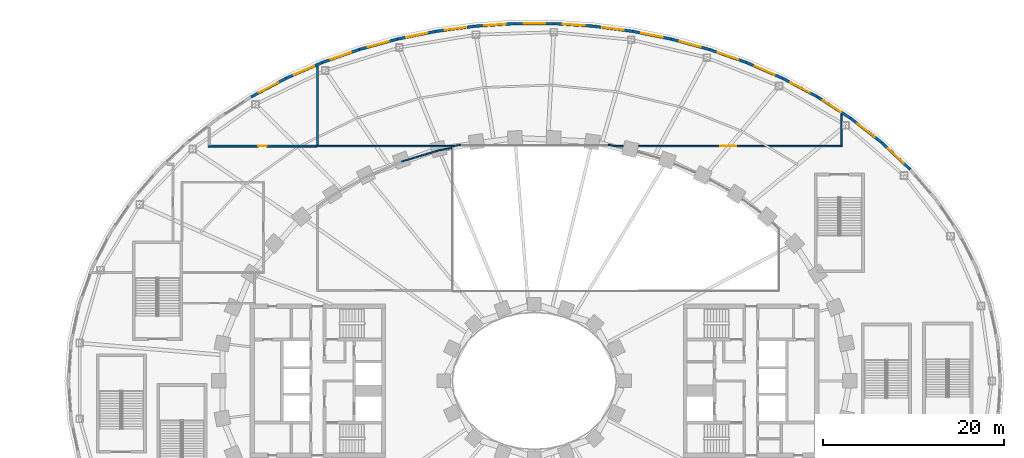
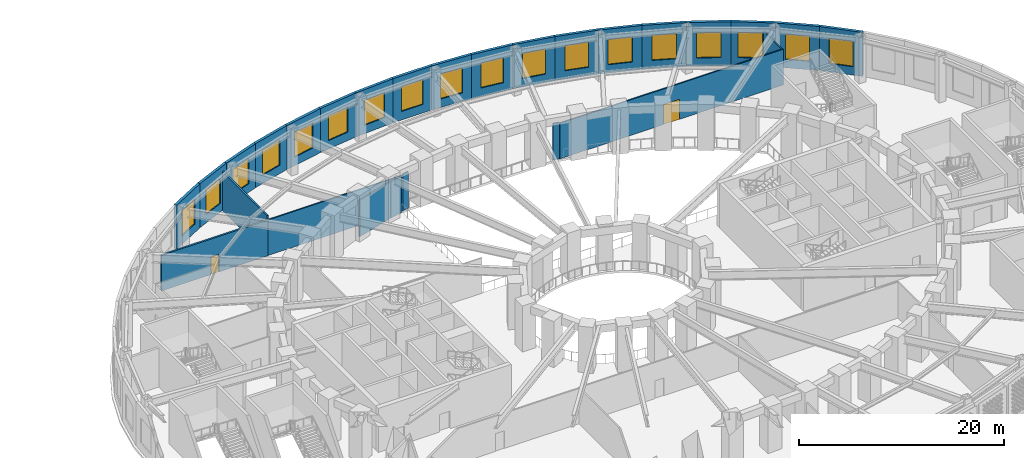
# One storey, part 21 of 69: 27 walls, 18 windows, 2 doors, 20 openings.
"""IFC4 building model written with IfcOpenShell, lengths in metres."""

import ifcopenshell
import ifcopenshell.guid

model = None  # the IFC model being written
_history = None  # IfcOwnerHistory: only IFC2X3 demands one
_inside = {}  # id of a spatial element -> (the spatial element, [elements in it])
_under = {}  # id of a project, library or spatial element -> (it, [spatial elements below it])
_declared = {}  # id of a project -> (the project, [libraries it declares])
_typed = {}  # id of a type object -> (the type object, [elements of that type])
_made_of = {}  # id of a material, layer set ... -> (it, [elements and type objects made of it])


def new_model(schema):
    """Start an empty IFC model of exactly this schema.

    Asked for "IFC4X3", IfcOpenShell would pick the latest addendum, in which some entities
    have other attributes; the version numbers below select the first issue.
    IFC2X3 requires an IfcOwnerHistory on every rooted entity: one is made here for all.
    """
    global model, _history
    if schema == "IFC4X3":
        model = ifcopenshell.file(schema_version=(4, 3, 0, 0))
    else:
        model = ifcopenshell.file(schema=schema)
    _inside.clear()
    _under.clear()
    _declared.clear()
    _typed.clear()
    _made_of.clear()
    _history = None
    if model.schema == "IFC2X3":
        org = make("IfcOrganization", Name="unknown")
        user = make(
            "IfcPersonAndOrganization",
            ThePerson=make("IfcPerson", FamilyName="unknown"),
            TheOrganization=org,
        )
        app = make(
            "IfcApplication",
            ApplicationDeveloper=org,
            Version="unknown",
            ApplicationFullName="unknown",
            ApplicationIdentifier="unknown",
        )
        _history = make(
            "IfcOwnerHistory",
            OwningUser=user,
            OwningApplication=app,
            ChangeAction="ADDED",
            CreationDate=0,
        )
    return model


def make(cls, **values):
    """One entity of the class cls with the attributes given. An attribute that is None is left unset."""
    return model.create_entity(
        cls, **{name: value for name, value in values.items() if value is not None}
    )


def rooted(cls, **values):
    """An entity with a GlobalId (a new one), such as an element, a storey or a relation."""
    return make(cls, GlobalId=ifcopenshell.guid.new(), OwnerHistory=_history, **values)


def si_unit(unit_type, name, prefix=None):
    """IfcSIUnit, for example si_unit("LENGTHUNIT", "METRE", prefix="MILLI")."""
    return make("IfcSIUnit", UnitType=unit_type, Prefix=prefix, Name=name)


def assignment(units):
    """IfcUnitAssignment: the units of a project."""
    return None if units is None else make("IfcUnitAssignment", Units=units)


def point(xyz):
    """IfcCartesianPoint."""
    return None if xyz is None else make("IfcCartesianPoint", Coordinates=xyz)


def direction(xyz):
    """IfcDirection."""
    return None if xyz is None else make("IfcDirection", DirectionRatios=xyz)


def frame(location, z_axis=None, x_axis=None):
    """IfcAxis2Placement3D, a coordinate frame: its origin and axes. An axis left out is left unset."""
    return make(
        "IfcAxis2Placement3D",
        Location=point(location),
        Axis=direction(z_axis),
        RefDirection=direction(x_axis),
    )


def frame_2d(location, x_axis=None):
    """IfcAxis2Placement2D, a coordinate frame in the plane: its origin and x axis."""
    return make(
        "IfcAxis2Placement2D", Location=point(location), RefDirection=direction(x_axis)
    )


def origin():
    """The frame at (0, 0, 0) with its axes left unset."""
    return frame((0.0, 0.0, 0.0))


def place(relative_to, where):
    """IfcLocalPlacement: puts the frame where relative to a parent placement (None: the world)."""
    return make(
        "IfcLocalPlacement", PlacementRelTo=relative_to, RelativePlacement=where
    )


def context(
    kind, dimensions, precision=None, world=None, true_north=None, identifier=None
):
    """IfcGeometricRepresentationContext, for example the 3D "Model" context."""
    return make(
        "IfcGeometricRepresentationContext",
        ContextIdentifier=identifier,
        ContextType=kind,
        CoordinateSpaceDimension=dimensions,
        Precision=precision,
        WorldCoordinateSystem=world,
        TrueNorth=true_north,
    )


def subcontext(parent, identifier, kind, view, scale=None):
    """IfcGeometricRepresentationSubContext, for example "Body" below "Model"."""
    return make(
        "IfcGeometricRepresentationSubContext",
        ContextIdentifier=identifier,
        ContextType=kind,
        ParentContext=parent,
        TargetScale=scale,
        TargetView=view,
    )


def project(units=None, contexts=None):
    """IfcProject with its units and contexts."""
    return rooted(
        "IfcProject",
        Name="project",
        RepresentationContexts=contexts,
        UnitsInContext=assignment(units),
    )


def spatial(cls, under=None, at=None, **own):
    """A site, building, storey or space (cls), placed at a placement, below another one or the project."""
    s = rooted(cls, ObjectPlacement=at, **own)
    if under is not None:
        _under.setdefault(under.id(), (under, []))[1].append(s)
    return s


def profile(cls, at=None, kind="AREA", **sizes):
    """A parametric profile (cls). Its sizes go by their IFC names, for example OverallWidth=200.0."""
    return make(cls, ProfileType=kind, Position=at, **sizes)


def rectangle(**sizes):
    """IfcRectangleProfileDef."""
    return profile("IfcRectangleProfileDef", **sizes)


def extrude(swept, where, along, depth):
    """IfcExtrudedAreaSolid: the profile swept, set in the frame where, extruded along a direction by depth."""
    return make(
        "IfcExtrudedAreaSolid",
        SweptArea=swept,
        Position=where,
        ExtrudedDirection=direction(along),
        Depth=depth,
    )


def shape(context_of_items, identifier, shape_type, items):
    """IfcShapeRepresentation: the items that make up one representation, for example the "Body"."""
    return make(
        "IfcShapeRepresentation",
        ContextOfItems=context_of_items,
        RepresentationIdentifier=identifier,
        RepresentationType=shape_type,
        Items=items,
    )


def material(Name=None, Category=None):
    """IfcMaterial."""
    return make("IfcMaterial", Name=Name, Category=Category)


def layer(
    of_material, thickness, ventilated=None, Name=None, Category=None, Priority=None
):
    """IfcMaterialLayer: one layer of a wall or slab, of a material (None: an air gap)."""
    return make(
        "IfcMaterialLayer",
        Material=of_material,
        LayerThickness=thickness,
        IsVentilated=ventilated,
        Name=Name,
        Category=Category,
        Priority=Priority,
    )


def layer_set(layers, Name=None):
    """IfcMaterialLayerSet."""
    return make("IfcMaterialLayerSet", MaterialLayers=layers, LayerSetName=Name)


def made_of(thing, what):
    """Note that an element or type object is made of a material, layer set ...; save() writes the relation."""
    if what is not None:
        _made_of.setdefault(what.id(), (what, []))[1].append(thing)
    return thing


def type_object(cls, material=None, **own):
    """A type object (cls), such as IfcWallType, which elements share."""
    return made_of(rooted(cls, **own), material)


def element(
    cls,
    number,
    at=None,
    inside=None,
    cuts=None,
    type_object=None,
    material=None,
    context=None,
    identifier="Body",
    shape_type=None,
    held_by="IfcProductDefinitionShape",
    body=None,
    shapes=None,
    **own,
):
    """One element of the class cls, such as IfcWall. Its Tag is "e" and its number.

    at: its placement. inside: the storey or other place that contains it. cuts: it is an
    opening in that element (IfcRelVoidsElement). A single representation is given by context,
    identifier, shape_type and body (its items); several are given by shapes. held_by: the class
    of the entity that holds the representations. save() writes the other relations.
    """
    e = rooted(cls, Tag="e%d" % number, ObjectPlacement=at, **own)
    if body is not None:
        shapes = [shape(context, identifier, shape_type, body)]
    if shapes is not None:
        e.Representation = make(held_by, Representations=shapes)
    if inside is not None:
        _inside.setdefault(inside.id(), (inside, []))[1].append(e)
    if cuts is not None:
        rooted(
            "IfcRelVoidsElement", RelatingBuildingElement=cuts, RelatedOpeningElement=e
        )
    if type_object is not None:
        _typed.setdefault(type_object.id(), (type_object, []))[1].append(e)
    return made_of(e, material)


def fill(opening, filler):
    """IfcRelFillsElement: the door or window that sits in an opening."""
    return rooted(
        "IfcRelFillsElement",
        RelatingOpeningElement=opening,
        RelatedBuildingElement=filler,
    )


def aggregate(whole, parts):
    """IfcRelAggregates: a whole, such as a stair, and the parts it consists of."""
    return rooted("IfcRelAggregates", RelatingObject=whole, RelatedObjects=parts)


def save(model, path):
    """Write the relations noted so far, then the file.

    IfcRelAggregates (storeys below a building ...), IfcRelContainedInSpatialStructure (elements
    in a storey), IfcRelDefinesByType, IfcRelAssociatesMaterial and IfcRelDeclares: one each for
    every whole, place, type object, material and project.
    """
    for whole, parts in _under.values():
        aggregate(whole, parts)
    for where, things in _inside.values():
        rooted(
            "IfcRelContainedInSpatialStructure",
            RelatedElements=things,
            RelatingStructure=where,
        )
    for kind, things in _typed.values():
        rooted("IfcRelDefinesByType", RelatedObjects=things, RelatingType=kind)
    for what, things in _made_of.values():
        rooted("IfcRelAssociatesMaterial", RelatedObjects=things, RelatingMaterial=what)
    for by, libraries in _declared.values():
        rooted("IfcRelDeclares", RelatingContext=by, RelatedDefinitions=libraries)
    model.write(path)


model = new_model("IFC4")

# Units and contexts
model_context = context("Model", 3, precision=1e-05, world=origin(), true_north=direction((0.0, 1.0)))
body_context = subcontext(model_context, "Body", "Model", "MODEL_VIEW")
ifc_project = project(units=[si_unit("LENGTHUNIT", "METRE"), si_unit("AREAUNIT", "SQUARE_METRE"), si_unit("VOLUMEUNIT", "CUBIC_METRE"), si_unit("PLANEANGLEUNIT", "RADIAN"), si_unit("MASSUNIT", "GRAM", prefix="KILO")], contexts=[model_context])

# Site, building, storey
site_placement = place(None, origin())
site = spatial("IfcSite", under=ifc_project, at=site_placement, CompositionType="ELEMENT")
building_placement = place(site_placement, origin())
building = spatial("IfcBuilding", under=site, at=building_placement, Name="Noorbagh Ring Tower", CompositionType="ELEMENT")
storey_placement = place(building_placement, frame((0.0, 0.0, 19.5)))
storey = spatial("IfcBuildingStorey", under=building, at=storey_placement, Name="L03", CompositionType="ELEMENT", Elevation=19.5)

# Wall, opening, window
ifc_material_1 = material(Name="Blockwork faced with red sandstone", Category="masonry")
ifc_layer_1 = layer(ifc_material_1, 0.300048828125)
ifc_layer_set_1 = layer_set([ifc_layer_1], Name="Blockwork faced with red sandstone")
wall_type_1 = type_object("IfcWallType", Name="GND-ENV-WALL", PredefinedType="SOLIDWALL", material=ifc_layer_set_1)
wall_1_placement = place(storey_placement, frame((41.61669921875, 23.406005859375, 0.0), z_axis=(0.0, 0.0, 1.0), x_axis=(-0.72620446032, 0.687478786444, 0.0)))
wall_1 = element("IfcWall", 1, at=wall_1_placement, inside=storey, type_object=wall_type_1, Name="Podium wall", PredefinedType="SOLIDWALL", context=body_context, shape_type="SweptSolid", body=[
    extrude(rectangle(XDim=4.356201171875, YDim=0.300048828125, at=frame_2d((2.17822265625, 0.0))), origin(), (0.0, 0.0, 1.0), 5.25),
])
opening_1_placement = place(wall_1_placement, frame((0.97802734375, 0.0, 1.0)))
opening_1 = element("IfcOpeningElement", 2, at=opening_1_placement, cuts=wall_1, Name="Opening GWN1", PredefinedType="OPENING", context=body_context, shape_type="SweptSolid", body=[
    extrude(rectangle(XDim=2.39990234375, YDim=3.0, at=frame_2d((1.199951171875, 1.5))), frame((0.0, 0.16015625, 0.0), z_axis=(0.0, -1.0, 0.0), x_axis=(1.0, 0.0, 0.0)), (0.0, 0.0, 1.0), 0.320068359375),
])
ifc_material_2 = material(Name="Aluminium and glass", Category="aluminium")
window_type = type_object("IfcWindowType", Name="GND-ENV-WINDOW", PartitioningType="SINGLE_PANEL", PredefinedType="WINDOW", material=ifc_material_2)
window_1_placement = place(opening_1_placement, origin())
window_1 = element("IfcWindow", 3, at=window_1_placement, inside=storey, type_object=window_type, Name="L03 podium window", OverallHeight=3.0, OverallWidth=2.39990234375, PartitioningType="SINGLE_PANEL", PredefinedType="WINDOW", context=body_context, shape_type="SweptSolid", body=[
    extrude(rectangle(XDim=2.39990234375, YDim=3.0, at=frame_2d((1.199951171875, 1.5))), frame((0.0, 0.030029296875, 0.0), z_axis=(0.0, -1.0, 0.0), x_axis=(1.0, 0.0, 0.0)), (0.0, 0.0, 1.0), 0.06005859375),
])
fill(opening_1, window_1)

wall_2_placement = place(storey_placement, frame((38.453125, 26.40087890625, 0.0), z_axis=(0.0, 0.0, 1.0), x_axis=(-0.788491985196, 0.615045030288, 0.0)))
wall_2 = element("IfcWall", 4, at=wall_2_placement, inside=storey, type_object=wall_type_1, Name="Podium wall", PredefinedType="SOLIDWALL", context=body_context, shape_type="SweptSolid", body=[
    extrude(rectangle(XDim=4.359375, YDim=0.300048828125, at=frame_2d((2.1796875, 0.0))), origin(), (0.0, 0.0, 1.0), 5.25),
])
opening_2_placement = place(wall_2_placement, frame((0.979736328125, 0.0, 1.0)))
opening_2 = element("IfcOpeningElement", 5, at=opening_2_placement, cuts=wall_2, Name="Opening GWN1", PredefinedType="OPENING", context=body_context, shape_type="SweptSolid", body=[
    extrude(rectangle(XDim=2.39990234375, YDim=3.0, at=frame_2d((1.199951171875, 1.5))), frame((0.0, 0.16015625, 0.0), z_axis=(0.0, -1.0, 0.0), x_axis=(1.0, 0.0, 0.0)), (0.0, 0.0, 1.0), 0.320068359375),
])
window_2_placement = place(opening_2_placement, origin())
window_2 = element("IfcWindow", 6, at=window_2_placement, inside=storey, type_object=window_type, Name="L03 podium window", OverallHeight=3.0, OverallWidth=2.39990234375, PartitioningType="SINGLE_PANEL", PredefinedType="WINDOW", context=body_context, shape_type="SweptSolid", body=[
    extrude(rectangle(XDim=2.39990234375, YDim=3.0, at=frame_2d((1.199951171875, 1.5))), frame((0.0, 0.030029296875, 0.0), z_axis=(0.0, -1.0, 0.0), x_axis=(1.0, 0.0, 0.0)), (0.0, 0.0, 1.0), 0.06005859375),
])
fill(opening_2, window_2)

wall_3_placement = place(storey_placement, frame((35.015869140625, 29.08203125, 0.0), z_axis=(0.0, 0.0, 1.0), x_axis=(-0.840047348843, 0.542513088969, 0.0)))
wall_3 = element("IfcWall", 7, at=wall_3_placement, inside=storey, type_object=wall_type_1, Name="Podium wall", PredefinedType="SOLIDWALL", context=body_context, shape_type="SweptSolid", body=[
    extrude(rectangle(XDim=4.362060546875, YDim=0.300048828125, at=frame_2d((2.18115234375, 0.0))), origin(), (0.0, 0.0, 1.0), 5.25),
])
opening_3_placement = place(wall_3_placement, frame((1.27099609375, 0.0, 1.0)))
opening_3 = element("IfcOpeningElement", 8, at=opening_3_placement, cuts=wall_3, Name="Opening GWN1", PredefinedType="OPENING", context=body_context, shape_type="SweptSolid", body=[
    extrude(rectangle(XDim=2.39990234375, YDim=3.0, at=frame_2d((1.199951171875, 1.5))), frame((0.0, 0.16015625, 0.0), z_axis=(0.0, -1.0, 0.0), x_axis=(1.0, 0.0, 0.0)), (0.0, 0.0, 1.0), 0.320068359375),
])
window_3_placement = place(opening_3_placement, origin())
window_3 = element("IfcWindow", 9, at=window_3_placement, inside=storey, type_object=window_type, Name="L03 podium window", OverallHeight=3.0, OverallWidth=2.39990234375, PartitioningType="SINGLE_PANEL", PredefinedType="WINDOW", context=body_context, shape_type="SweptSolid", body=[
    extrude(rectangle(XDim=2.39990234375, YDim=3.0, at=frame_2d((1.199951171875, 1.5))), frame((0.0, 0.030029296875, 0.0), z_axis=(0.0, -1.0, 0.0), x_axis=(1.0, 0.0, 0.0)), (0.0, 0.0, 1.0), 0.06005859375),
])
fill(opening_3, window_3)

wall_4_placement = place(storey_placement, frame((31.3515625, 31.448486328125, 0.0), z_axis=(0.0, 0.0, 1.0), x_axis=(-0.882159305704, 0.47095112205, 0.0)))
wall_4 = element("IfcWall", 10, at=wall_4_placement, inside=storey, type_object=wall_type_1, Name="Podium wall", PredefinedType="SOLIDWALL", context=body_context, shape_type="SweptSolid", body=[
    extrude(rectangle(XDim=4.364501953125, YDim=0.300048828125, at=frame_2d((2.18212890625, 0.0))), origin(), (0.0, 0.0, 1.0), 5.25),
])
opening_4_placement = place(wall_4_placement, frame((0.982177734375, 0.0, 1.0)))
opening_4 = element("IfcOpeningElement", 11, at=opening_4_placement, cuts=wall_4, Name="Opening GWN1", PredefinedType="OPENING", context=body_context, shape_type="SweptSolid", body=[
    extrude(rectangle(XDim=2.39990234375, YDim=3.0, at=frame_2d((1.199951171875, 1.5))), frame((0.0, 0.16015625, 0.0), z_axis=(0.0, -1.0, 0.0), x_axis=(1.0, 0.0, 0.0)), (0.0, 0.0, 1.0), 0.320068359375),
])
window_4_placement = place(opening_4_placement, origin())
window_4 = element("IfcWindow", 12, at=window_4_placement, inside=storey, type_object=window_type, Name="L03 podium window", OverallHeight=3.0, OverallWidth=2.39990234375, PartitioningType="SINGLE_PANEL", PredefinedType="WINDOW", context=body_context, shape_type="SweptSolid", body=[
    extrude(rectangle(XDim=2.39990234375, YDim=3.0, at=frame_2d((1.199951171875, 1.5))), frame((0.0, 0.030029296875, 0.0), z_axis=(0.0, -1.0, 0.0), x_axis=(1.0, 0.0, 0.0)), (0.0, 0.0, 1.0), 0.06005859375),
])
fill(opening_4, window_4)

wall_5_placement = place(storey_placement, frame((27.50146484375, 33.50390625, 0.0), z_axis=(0.0, 0.0, 1.0), x_axis=(-0.916336904548, 0.400408138483, 0.0)))
wall_5 = element("IfcWall", 13, at=wall_5_placement, inside=storey, type_object=wall_type_1, Name="Podium wall", PredefinedType="SOLIDWALL", context=body_context, shape_type="SweptSolid", body=[
    extrude(rectangle(XDim=4.3662109375, YDim=0.300048828125, at=frame_2d((2.18310546875, 0.0))), origin(), (0.0, 0.0, 1.0), 5.25),
])
opening_5_placement = place(wall_5_placement, frame((0.983154296875, 0.0, 1.0)))
opening_5 = element("IfcOpeningElement", 14, at=opening_5_placement, cuts=wall_5, Name="Opening GWN1", PredefinedType="OPENING", context=body_context, shape_type="SweptSolid", body=[
    extrude(rectangle(XDim=2.39990234375, YDim=3.0, at=frame_2d((1.199951171875, 1.5))), frame((0.0, 0.16015625, 0.0), z_axis=(0.0, -1.0, 0.0), x_axis=(1.0, 0.0, 0.0)), (0.0, 0.0, 1.0), 0.320068359375),
])
window_5_placement = place(opening_5_placement, origin())
window_5 = element("IfcWindow", 15, at=window_5_placement, inside=storey, type_object=window_type, Name="L03 podium window", OverallHeight=3.0, OverallWidth=2.39990234375, PartitioningType="SINGLE_PANEL", PredefinedType="WINDOW", context=body_context, shape_type="SweptSolid", body=[
    extrude(rectangle(XDim=2.39990234375, YDim=3.0, at=frame_2d((1.199951171875, 1.5))), frame((0.0, 0.030029296875, 0.0), z_axis=(0.0, -1.0, 0.0), x_axis=(1.0, 0.0, 0.0)), (0.0, 0.0, 1.0), 0.06005859375),
])
fill(opening_5, window_5)

wall_6_placement = place(storey_placement, frame((23.50048828125, 35.252197265625, 0.0), z_axis=(0.0, 0.0, 1.0), x_axis=(-0.943526738033, 0.331296384853, 0.0)))
wall_6 = element("IfcWall", 16, at=wall_6_placement, inside=storey, type_object=wall_type_1, Name="Podium wall", PredefinedType="SOLIDWALL", context=body_context, shape_type="SweptSolid", body=[
    extrude(rectangle(XDim=4.36767578125, YDim=0.300048828125, at=frame_2d((2.183837890625, 0.0))), origin(), (0.0, 0.0, 1.0), 5.25),
])
opening_6_placement = place(wall_6_placement, frame((0.98388671875, 0.0, 1.0)))
opening_6 = element("IfcOpeningElement", 17, at=opening_6_placement, cuts=wall_6, Name="Opening GWN1", PredefinedType="OPENING", context=body_context, shape_type="SweptSolid", body=[
    extrude(rectangle(XDim=2.39990234375, YDim=3.0, at=frame_2d((1.199951171875, 1.5))), frame((0.0, 0.16015625, 0.0), z_axis=(0.0, -1.0, 0.0), x_axis=(1.0, 0.0, 0.0)), (0.0, 0.0, 1.0), 0.320068359375),
])
window_6_placement = place(opening_6_placement, origin())
window_6 = element("IfcWindow", 18, at=window_6_placement, inside=storey, type_object=window_type, Name="L03 podium window", OverallHeight=3.0, OverallWidth=2.39990234375, PartitioningType="SINGLE_PANEL", PredefinedType="WINDOW", context=body_context, shape_type="SweptSolid", body=[
    extrude(rectangle(XDim=2.39990234375, YDim=3.0, at=frame_2d((1.199951171875, 1.5))), frame((0.0, 0.030029296875, 0.0), z_axis=(0.0, -1.0, 0.0), x_axis=(1.0, 0.0, 0.0)), (0.0, 0.0, 1.0), 0.06005859375),
])
fill(opening_6, window_6)

wall_7_placement = place(storey_placement, frame((19.37939453125, 36.69921875, 0.0), z_axis=(0.0, 0.0, 1.0), x_axis=(-0.964679950239, 0.263424739931, 0.0)))
wall_7 = element("IfcWall", 19, at=wall_7_placement, inside=storey, type_object=wall_type_1, Name="Podium wall", PredefinedType="SOLIDWALL", context=body_context, shape_type="SweptSolid", body=[
    extrude(rectangle(XDim=4.368896484375, YDim=0.300048828125, at=frame_2d((2.1845703125, 0.0))), origin(), (0.0, 0.0, 1.0), 5.25),
])
opening_7_placement = place(wall_7_placement, frame((0.984619140625, 0.0, 1.0)))
opening_7 = element("IfcOpeningElement", 20, at=opening_7_placement, cuts=wall_7, Name="Opening GWN1", PredefinedType="OPENING", context=body_context, shape_type="SweptSolid", body=[
    extrude(rectangle(XDim=2.39990234375, YDim=3.0, at=frame_2d((1.199951171875, 1.5))), frame((0.0, 0.16015625, 0.0), z_axis=(0.0, -1.0, 0.0), x_axis=(1.0, 0.0, 0.0)), (0.0, 0.0, 1.0), 0.320068359375),
])
window_7_placement = place(opening_7_placement, origin())
window_7 = element("IfcWindow", 21, at=window_7_placement, inside=storey, type_object=window_type, Name="L03 podium window", OverallHeight=3.0, OverallWidth=2.39990234375, PartitioningType="SINGLE_PANEL", PredefinedType="WINDOW", context=body_context, shape_type="SweptSolid", body=[
    extrude(rectangle(XDim=2.39990234375, YDim=3.0, at=frame_2d((1.199951171875, 1.5))), frame((0.0, 0.030029296875, 0.0), z_axis=(0.0, -1.0, 0.0), x_axis=(1.0, 0.0, 0.0)), (0.0, 0.0, 1.0), 0.06005859375),
])
fill(opening_7, window_7)

wall_8_placement = place(storey_placement, frame((15.164794921875, 37.85009765625, 0.0), z_axis=(0.0, 0.0, 1.0), x_axis=(-0.980494629762, 0.196545875071, 0.0)))
wall_8 = element("IfcWall", 22, at=wall_8_placement, inside=storey, type_object=wall_type_1, Name="Podium wall", PredefinedType="SOLIDWALL", context=body_context, shape_type="SweptSolid", body=[
    extrude(rectangle(XDim=4.369873046875, YDim=0.300048828125, at=frame_2d((2.18505859375, 0.0))), origin(), (0.0, 0.0, 1.0), 5.25),
])
opening_8_placement = place(wall_8_placement, frame((0.98486328125, 0.0, 1.0)))
opening_8 = element("IfcOpeningElement", 23, at=opening_8_placement, cuts=wall_8, Name="Opening GWN1", PredefinedType="OPENING", context=body_context, shape_type="SweptSolid", body=[
    extrude(rectangle(XDim=2.39990234375, YDim=3.0, at=frame_2d((1.199951171875, 1.5))), frame((0.0, 0.16015625, 0.0), z_axis=(0.0, -1.0, 0.0), x_axis=(1.0, 0.0, 0.0)), (0.0, 0.0, 1.0), 0.320068359375),
])
window_8_placement = place(opening_8_placement, origin())
window_8 = element("IfcWindow", 24, at=window_8_placement, inside=storey, type_object=window_type, Name="L03 podium window", OverallHeight=3.0, OverallWidth=2.39990234375, PartitioningType="SINGLE_PANEL", PredefinedType="WINDOW", context=body_context, shape_type="SweptSolid", body=[
    extrude(rectangle(XDim=2.39990234375, YDim=3.0, at=frame_2d((1.199951171875, 1.5))), frame((0.0, 0.030029296875, 0.0), z_axis=(0.0, -1.0, 0.0), x_axis=(1.0, 0.0, 0.0)), (0.0, 0.0, 1.0), 0.06005859375),
])
fill(opening_8, window_8)

wall_9_placement = place(storey_placement, frame((10.880126953125, 38.708984375, 0.0), z_axis=(0.0, 0.0, 1.0), x_axis=(-0.991441741932, 0.130549884544, 0.0)))
wall_9 = element("IfcWall", 25, at=wall_9_placement, inside=storey, type_object=wall_type_1, Name="Podium wall", PredefinedType="SOLIDWALL", context=body_context, shape_type="SweptSolid", body=[
    extrude(rectangle(XDim=4.370361328125, YDim=0.300048828125, at=frame_2d((2.18505859375, 0.0))), origin(), (0.0, 0.0, 1.0), 5.25),
])
opening_9_placement = place(wall_9_placement, frame((0.985107421875, 0.0, 1.0)))
opening_9 = element("IfcOpeningElement", 26, at=opening_9_placement, cuts=wall_9, Name="Opening GWN1", PredefinedType="OPENING", context=body_context, shape_type="SweptSolid", body=[
    extrude(rectangle(XDim=2.39990234375, YDim=3.0, at=frame_2d((1.199951171875, 1.5))), frame((0.0, 0.16015625, 0.0), z_axis=(0.0, -1.0, 0.0), x_axis=(1.0, 0.0, 0.0)), (0.0, 0.0, 1.0), 0.320068359375),
])
window_9_placement = place(opening_9_placement, origin())
window_9 = element("IfcWindow", 27, at=window_9_placement, inside=storey, type_object=window_type, Name="L03 podium window", OverallHeight=3.0, OverallWidth=2.39990234375, PartitioningType="SINGLE_PANEL", PredefinedType="WINDOW", context=body_context, shape_type="SweptSolid", body=[
    extrude(rectangle(XDim=2.39990234375, YDim=3.0, at=frame_2d((1.199951171875, 1.5))), frame((0.0, 0.030029296875, 0.0), z_axis=(0.0, -1.0, 0.0), x_axis=(1.0, 0.0, 0.0)), (0.0, 0.0, 1.0), 0.06005859375),
])
fill(opening_9, window_9)

wall_10_placement = place(storey_placement, frame((6.547119140625, 39.279541015625, 0.0), z_axis=(0.0, 0.0, 1.0), x_axis=(-0.997876871627, 0.065128711577, 0.0)))
wall_10 = element("IfcWall", 28, at=wall_10_placement, inside=storey, type_object=wall_type_1, Name="Podium wall", PredefinedType="SOLIDWALL", context=body_context, shape_type="SweptSolid", body=[
    extrude(rectangle(XDim=4.370849609375, YDim=0.300048828125, at=frame_2d((2.185546875, 0.0))), origin(), (0.0, 0.0, 1.0), 5.25),
])
opening_10_placement = place(wall_10_placement, frame((0.9853515625, 0.0, 1.0)))
opening_10 = element("IfcOpeningElement", 29, at=opening_10_placement, cuts=wall_10, Name="Opening GWN1", PredefinedType="OPENING", context=body_context, shape_type="SweptSolid", body=[
    extrude(rectangle(XDim=2.39990234375, YDim=3.0, at=frame_2d((1.199951171875, 1.5))), frame((0.0, 0.16015625, 0.0), z_axis=(0.0, -1.0, 0.0), x_axis=(1.0, 0.0, 0.0)), (0.0, 0.0, 1.0), 0.320068359375),
])
window_10_placement = place(opening_10_placement, origin())
window_10 = element("IfcWindow", 30, at=window_10_placement, inside=storey, type_object=window_type, Name="L03 podium window", OverallHeight=3.0, OverallWidth=2.39990234375, PartitioningType="SINGLE_PANEL", PredefinedType="WINDOW", context=body_context, shape_type="SweptSolid", body=[
    extrude(rectangle(XDim=2.39990234375, YDim=3.0, at=frame_2d((1.199951171875, 1.5))), frame((0.0, 0.030029296875, 0.0), z_axis=(0.0, -1.0, 0.0), x_axis=(1.0, 0.0, 0.0)), (0.0, 0.0, 1.0), 0.06005859375),
])
fill(opening_10, window_10)

wall_11_placement = place(storey_placement, frame((2.185546875, 39.564208984375, 0.0), z_axis=(0.0, 0.0, 1.0), x_axis=(-1.0, 0.0, 0.0)))
wall_11 = element("IfcWall", 31, at=wall_11_placement, inside=storey, type_object=wall_type_1, Name="Podium wall", PredefinedType="SOLIDWALL", context=body_context, shape_type="SweptSolid", body=[
    extrude(rectangle(XDim=4.37109375, YDim=0.300048828125, at=frame_2d((2.185546875, 0.0))), origin(), (0.0, 0.0, 1.0), 5.25),
])
opening_11_placement = place(wall_11_placement, frame((0.985595703125, 0.0, 1.0)))
opening_11 = element("IfcOpeningElement", 32, at=opening_11_placement, cuts=wall_11, Name="Opening GWN1", PredefinedType="OPENING", context=body_context, shape_type="SweptSolid", body=[
    extrude(rectangle(XDim=2.39990234375, YDim=3.0, at=frame_2d((1.199951171875, 1.5))), frame((0.0, 0.16015625, 0.0), z_axis=(0.0, -1.0, 0.0), x_axis=(1.0, 0.0, 0.0)), (0.0, 0.0, 1.0), 0.320068359375),
])
window_11_placement = place(opening_11_placement, origin())
window_11 = element("IfcWindow", 33, at=window_11_placement, inside=storey, type_object=window_type, Name="L03 podium window", OverallHeight=3.0, OverallWidth=2.39990234375, PartitioningType="SINGLE_PANEL", PredefinedType="WINDOW", context=body_context, shape_type="SweptSolid", body=[
    extrude(rectangle(XDim=2.39990234375, YDim=3.0, at=frame_2d((1.199951171875, 1.5))), frame((0.0, 0.030029296875, 0.0), z_axis=(0.0, -1.0, 0.0), x_axis=(1.0, 0.0, 0.0)), (0.0, 0.0, 1.0), 0.06005859375),
])
fill(opening_11, window_11)

wall_12_placement = place(storey_placement, frame((-2.185546875, 39.564208984375, 0.0), z_axis=(0.0, 0.0, 1.0), x_axis=(-0.997876871627, -0.065128711577, 0.0)))
wall_12 = element("IfcWall", 34, at=wall_12_placement, inside=storey, type_object=wall_type_1, Name="Podium wall", PredefinedType="SOLIDWALL", context=body_context, shape_type="SweptSolid", body=[
    extrude(rectangle(XDim=4.370849609375, YDim=0.300048828125, at=frame_2d((2.185546875, 0.0))), origin(), (0.0, 0.0, 1.0), 5.25),
])
opening_12_placement = place(wall_12_placement, frame((0.9853515625, 0.0, 1.0)))
opening_12 = element("IfcOpeningElement", 35, at=opening_12_placement, cuts=wall_12, Name="Opening GWN1", PredefinedType="OPENING", context=body_context, shape_type="SweptSolid", body=[
    extrude(rectangle(XDim=2.39990234375, YDim=3.0, at=frame_2d((1.199951171875, 1.5))), frame((0.0, 0.16015625, 0.0), z_axis=(0.0, -1.0, 0.0), x_axis=(1.0, 0.0, 0.0)), (0.0, 0.0, 1.0), 0.320068359375),
])
window_12_placement = place(opening_12_placement, origin())
window_12 = element("IfcWindow", 36, at=window_12_placement, inside=storey, type_object=window_type, Name="L03 podium window", OverallHeight=3.0, OverallWidth=2.39990234375, PartitioningType="SINGLE_PANEL", PredefinedType="WINDOW", context=body_context, shape_type="SweptSolid", body=[
    extrude(rectangle(XDim=2.39990234375, YDim=3.0, at=frame_2d((1.199951171875, 1.5))), frame((0.0, 0.030029296875, 0.0), z_axis=(0.0, -1.0, 0.0), x_axis=(1.0, 0.0, 0.0)), (0.0, 0.0, 1.0), 0.06005859375),
])
fill(opening_12, window_12)

wall_13_placement = place(storey_placement, frame((-6.547119140625, 39.279541015625, 0.0), z_axis=(0.0, 0.0, 1.0), x_axis=(-0.991441741932, -0.130549884544, 0.0)))
wall_13 = element("IfcWall", 37, at=wall_13_placement, inside=storey, type_object=wall_type_1, Name="Podium wall", PredefinedType="SOLIDWALL", context=body_context, shape_type="SweptSolid", body=[
    extrude(rectangle(XDim=4.370361328125, YDim=0.300048828125, at=frame_2d((2.18505859375, 0.0))), origin(), (0.0, 0.0, 1.0), 5.25),
])
opening_13_placement = place(wall_13_placement, frame((0.985107421875, 0.0, 1.0)))
opening_13 = element("IfcOpeningElement", 38, at=opening_13_placement, cuts=wall_13, Name="Opening GWN1", PredefinedType="OPENING", context=body_context, shape_type="SweptSolid", body=[
    extrude(rectangle(XDim=2.39990234375, YDim=3.0, at=frame_2d((1.199951171875, 1.5))), frame((0.0, 0.16015625, 0.0), z_axis=(0.0, -1.0, 0.0), x_axis=(1.0, 0.0, 0.0)), (0.0, 0.0, 1.0), 0.320068359375),
])
window_13_placement = place(opening_13_placement, origin())
window_13 = element("IfcWindow", 39, at=window_13_placement, inside=storey, type_object=window_type, Name="L03 podium window", OverallHeight=3.0, OverallWidth=2.39990234375, PartitioningType="SINGLE_PANEL", PredefinedType="WINDOW", context=body_context, shape_type="SweptSolid", body=[
    extrude(rectangle(XDim=2.39990234375, YDim=3.0, at=frame_2d((1.199951171875, 1.5))), frame((0.0, 0.030029296875, 0.0), z_axis=(0.0, -1.0, 0.0), x_axis=(1.0, 0.0, 0.0)), (0.0, 0.0, 1.0), 0.06005859375),
])
fill(opening_13, window_13)

wall_14_placement = place(storey_placement, frame((-10.880126953125, 38.708984375, 0.0), z_axis=(0.0, 0.0, 1.0), x_axis=(-0.980494629762, -0.196545875071, 0.0)))
wall_14 = element("IfcWall", 40, at=wall_14_placement, inside=storey, type_object=wall_type_1, Name="Podium wall", PredefinedType="SOLIDWALL", context=body_context, shape_type="SweptSolid", body=[
    extrude(rectangle(XDim=4.369873046875, YDim=0.300048828125, at=frame_2d((2.18505859375, 0.0))), origin(), (0.0, 0.0, 1.0), 5.25),
])
opening_14_placement = place(wall_14_placement, frame((0.98486328125, 0.0, 1.0)))
opening_14 = element("IfcOpeningElement", 41, at=opening_14_placement, cuts=wall_14, Name="Opening GWN1", PredefinedType="OPENING", context=body_context, shape_type="SweptSolid", body=[
    extrude(rectangle(XDim=2.39990234375, YDim=3.0, at=frame_2d((1.199951171875, 1.5))), frame((0.0, 0.16015625, 0.0), z_axis=(0.0, -1.0, 0.0), x_axis=(1.0, 0.0, 0.0)), (0.0, 0.0, 1.0), 0.320068359375),
])
window_14_placement = place(opening_14_placement, origin())
window_14 = element("IfcWindow", 42, at=window_14_placement, inside=storey, type_object=window_type, Name="L03 podium window", OverallHeight=3.0, OverallWidth=2.39990234375, PartitioningType="SINGLE_PANEL", PredefinedType="WINDOW", context=body_context, shape_type="SweptSolid", body=[
    extrude(rectangle(XDim=2.39990234375, YDim=3.0, at=frame_2d((1.199951171875, 1.5))), frame((0.0, 0.030029296875, 0.0), z_axis=(0.0, -1.0, 0.0), x_axis=(1.0, 0.0, 0.0)), (0.0, 0.0, 1.0), 0.06005859375),
])
fill(opening_14, window_14)

wall_15_placement = place(storey_placement, frame((-15.164794921875, 37.85009765625, 0.0), z_axis=(0.0, 0.0, 1.0), x_axis=(-0.964679950239, -0.263424739931, 0.0)))
wall_15 = element("IfcWall", 43, at=wall_15_placement, inside=storey, type_object=wall_type_1, Name="Podium wall", PredefinedType="SOLIDWALL", context=body_context, shape_type="SweptSolid", body=[
    extrude(rectangle(XDim=4.368896484375, YDim=0.300048828125, at=frame_2d((2.1845703125, 0.0))), origin(), (0.0, 0.0, 1.0), 5.25),
])
opening_15_placement = place(wall_15_placement, frame((0.984619140625, 0.0, 1.0)))
opening_15 = element("IfcOpeningElement", 44, at=opening_15_placement, cuts=wall_15, Name="Opening GWN1", PredefinedType="OPENING", context=body_context, shape_type="SweptSolid", body=[
    extrude(rectangle(XDim=2.39990234375, YDim=3.0, at=frame_2d((1.199951171875, 1.5))), frame((0.0, 0.16015625, 0.0), z_axis=(0.0, -1.0, 0.0), x_axis=(1.0, 0.0, 0.0)), (0.0, 0.0, 1.0), 0.320068359375),
])
window_15_placement = place(opening_15_placement, origin())
window_15 = element("IfcWindow", 45, at=window_15_placement, inside=storey, type_object=window_type, Name="L03 podium window", OverallHeight=3.0, OverallWidth=2.39990234375, PartitioningType="SINGLE_PANEL", PredefinedType="WINDOW", context=body_context, shape_type="SweptSolid", body=[
    extrude(rectangle(XDim=2.39990234375, YDim=3.0, at=frame_2d((1.199951171875, 1.5))), frame((0.0, 0.030029296875, 0.0), z_axis=(0.0, -1.0, 0.0), x_axis=(1.0, 0.0, 0.0)), (0.0, 0.0, 1.0), 0.06005859375),
])
fill(opening_15, window_15)

wall_16_placement = place(storey_placement, frame((-19.37939453125, 36.69921875, 0.0), z_axis=(0.0, 0.0, 1.0), x_axis=(-0.943526738033, -0.331296384853, 0.0)))
wall_16 = element("IfcWall", 46, at=wall_16_placement, inside=storey, type_object=wall_type_1, Name="Podium wall", PredefinedType="SOLIDWALL", context=body_context, shape_type="SweptSolid", body=[
    extrude(rectangle(XDim=4.36767578125, YDim=0.300048828125, at=frame_2d((2.183837890625, 0.0))), origin(), (0.0, 0.0, 1.0), 5.25),
])
opening_16_placement = place(wall_16_placement, frame((0.98388671875, 0.0, 1.0)))
opening_16 = element("IfcOpeningElement", 47, at=opening_16_placement, cuts=wall_16, Name="Opening GWN1", PredefinedType="OPENING", context=body_context, shape_type="SweptSolid", body=[
    extrude(rectangle(XDim=2.39990234375, YDim=3.0, at=frame_2d((1.199951171875, 1.5))), frame((0.0, 0.16015625, 0.0), z_axis=(0.0, -1.0, 0.0), x_axis=(1.0, 0.0, 0.0)), (0.0, 0.0, 1.0), 0.320068359375),
])
window_16_placement = place(opening_16_placement, origin())
window_16 = element("IfcWindow", 48, at=window_16_placement, inside=storey, type_object=window_type, Name="L03 podium window", OverallHeight=3.0, OverallWidth=2.39990234375, PartitioningType="SINGLE_PANEL", PredefinedType="WINDOW", context=body_context, shape_type="SweptSolid", body=[
    extrude(rectangle(XDim=2.39990234375, YDim=3.0, at=frame_2d((1.199951171875, 1.5))), frame((0.0, 0.030029296875, 0.0), z_axis=(0.0, -1.0, 0.0), x_axis=(1.0, 0.0, 0.0)), (0.0, 0.0, 1.0), 0.06005859375),
])
fill(opening_16, window_16)

wall_17_placement = place(storey_placement, frame((-23.50048828125, 35.252197265625, 0.0), z_axis=(0.0, 0.0, 1.0), x_axis=(-0.916336904548, -0.400408138483, 0.0)))
wall_17 = element("IfcWall", 49, at=wall_17_placement, inside=storey, type_object=wall_type_1, Name="Podium wall", PredefinedType="SOLIDWALL", context=body_context, shape_type="SweptSolid", body=[
    extrude(rectangle(XDim=4.3662109375, YDim=0.300048828125, at=frame_2d((2.18310546875, 0.0))), origin(), (0.0, 0.0, 1.0), 5.25),
])
opening_17_placement = place(wall_17_placement, frame((0.983154296875, 0.0, 1.0)))
opening_17 = element("IfcOpeningElement", 50, at=opening_17_placement, cuts=wall_17, Name="Opening GWN1", PredefinedType="OPENING", context=body_context, shape_type="SweptSolid", body=[
    extrude(rectangle(XDim=2.39990234375, YDim=3.0, at=frame_2d((1.199951171875, 1.5))), frame((0.0, 0.16015625, 0.0), z_axis=(0.0, -1.0, 0.0), x_axis=(1.0, 0.0, 0.0)), (0.0, 0.0, 1.0), 0.320068359375),
])
window_17_placement = place(opening_17_placement, origin())
window_17 = element("IfcWindow", 51, at=window_17_placement, inside=storey, type_object=window_type, Name="L03 podium window", OverallHeight=3.0, OverallWidth=2.39990234375, PartitioningType="SINGLE_PANEL", PredefinedType="WINDOW", context=body_context, shape_type="SweptSolid", body=[
    extrude(rectangle(XDim=2.39990234375, YDim=3.0, at=frame_2d((1.199951171875, 1.5))), frame((0.0, 0.030029296875, 0.0), z_axis=(0.0, -1.0, 0.0), x_axis=(1.0, 0.0, 0.0)), (0.0, 0.0, 1.0), 0.06005859375),
])
fill(opening_17, window_17)

wall_18_placement = place(storey_placement, frame((-27.50146484375, 33.50390625, 0.0), z_axis=(0.0, 0.0, 1.0), x_axis=(-0.882159305704, -0.47095112205, 0.0)))
wall_18 = element("IfcWall", 52, at=wall_18_placement, inside=storey, type_object=wall_type_1, Name="Podium wall", PredefinedType="SOLIDWALL", context=body_context, shape_type="SweptSolid", body=[
    extrude(rectangle(XDim=4.364501953125, YDim=0.300048828125, at=frame_2d((2.18212890625, 0.0))), origin(), (0.0, 0.0, 1.0), 5.25),
])
opening_18_placement = place(wall_18_placement, frame((0.982177734375, 0.0, 1.0)))
opening_18 = element("IfcOpeningElement", 53, at=opening_18_placement, cuts=wall_18, Name="Opening GWN1", PredefinedType="OPENING", context=body_context, shape_type="SweptSolid", body=[
    extrude(rectangle(XDim=2.39990234375, YDim=3.0, at=frame_2d((1.199951171875, 1.5))), frame((0.0, 0.16015625, 0.0), z_axis=(0.0, -1.0, 0.0), x_axis=(1.0, 0.0, 0.0)), (0.0, 0.0, 1.0), 0.320068359375),
])
window_18_placement = place(opening_18_placement, origin())
window_18 = element("IfcWindow", 54, at=window_18_placement, inside=storey, type_object=window_type, Name="L03 podium window", OverallHeight=3.0, OverallWidth=2.39990234375, PartitioningType="SINGLE_PANEL", PredefinedType="WINDOW", context=body_context, shape_type="SweptSolid", body=[
    extrude(rectangle(XDim=2.39990234375, YDim=3.0, at=frame_2d((1.199951171875, 1.5))), frame((0.0, 0.030029296875, 0.0), z_axis=(0.0, -1.0, 0.0), x_axis=(1.0, 0.0, 0.0)), (0.0, 0.0, 1.0), 0.06005859375),
])
fill(opening_18, window_18)

# Walls
ifc_material_3 = material(Name="Gypsum board on steel studs", Category="steel")
ifc_layer_2 = layer(ifc_material_3, 0.14990234375)
ifc_layer_set_2 = layer_set([ifc_layer_2], Name="Gypsum board on steel studs")
wall_type_2 = type_object("IfcWallType", Name="GND-PART-150", PredefinedType="PARTITIONING", material=ifc_layer_set_2)
wall_19_placement = place(storey_placement, frame((-14.73046875, 24.27783203125, 0.0), z_axis=(0.0, 0.0, 1.0), x_axis=(0.957579221601, 0.288170148278, 0.0)))
element("IfcWall", 55, at=wall_19_placement, inside=storey, type_object=wall_type_2, Name="L03/wall/P003", PredefinedType="PARTITIONING", context=body_context, shape_type="SweptSolid", body=[
    extrude(rectangle(XDim=4.412353515625, YDim=0.14990234375, at=frame_2d((2.2060546875, 0.0))), origin(), (0.0, 0.0, 1.0), 4.35009765625),
])
wall_20_placement = place(storey_placement, frame((-10.502685546875, 25.542236328125, 0.0), z_axis=(0.0, 0.0, 1.0), x_axis=(0.981596023088, 0.190969231707, 0.0)))
element("IfcWall", 56, at=wall_20_placement, inside=storey, type_object=wall_type_2, Name="L03/wall/P004", PredefinedType="PARTITIONING", context=body_context, shape_type="SweptSolid", body=[
    extrude(rectangle(XDim=1.378173828125, YDim=0.14990234375, at=frame_2d((0.68896484375, 0.0))), origin(), (0.0, 0.0, 1.0), 4.35009765625),
])
for number, where, z_axis, x_axis, name in (
    (57, (8.8564453125, 26.01513671875, 0.0), (0.0, 0.0, 1.0), (-0.981654917387, 0.190666261224, 0.0), "L03/wall/P011"),
    (58, (-8.16259765625, 26.14990234375, 0.0), (0.0, 0.0, 1.0), (-0.981654917387, -0.190666261224, 0.0), "L03/wall/P012"),
):
    element("IfcWall", number, at=place(storey_placement, frame(where, z_axis=z_axis, x_axis=x_axis)), inside=storey, type_object=wall_type_2, Name=name, PredefinedType="PARTITIONING", context=body_context, shape_type="SweptSolid", body=[
        extrude(rectangle(XDim=0.706787109375, YDim=0.14990234375, at=frame_2d((0.353515625, 0.0))), origin(), (0.0, 0.0, 1.0), 4.35009765625),
    ])
wall_21_placement = place(storey_placement, frame((-8.859130859375, 26.0, 0.0), z_axis=(0.0, 0.0, 1.0), x_axis=(-1.0, 0.0, 0.0)))
element("IfcWall", 59, at=wall_21_placement, inside=storey, type_object=wall_type_2, Name="L03/wall/P013", PredefinedType="PARTITIONING", context=body_context, shape_type="SweptSolid", body=[
    extrude(rectangle(XDim=15.240966796875, YDim=0.14990234375, at=frame_2d((7.62060546875, 0.0))), origin(), (0.0, 0.0, 1.0), 4.25),
])
wall_22_placement = place(storey_placement, frame((34.0, 29.51953125, 0.0), z_axis=(0.0, 0.0, 1.0), x_axis=(0.0, -1.0, 0.0)))
element("IfcWall", 60, at=wall_22_placement, inside=storey, type_object=wall_type_2, Name="L03/wall/P014", PredefinedType="PARTITIONING", context=body_context, shape_type="SweptSolid", body=[
    extrude(rectangle(XDim=3.444580078125, YDim=0.14990234375, at=frame_2d((1.72216796875, 0.0))), origin(), (0.0, 0.0, 1.0), 4.25),
])

# Wall, opening, door
wall_23_placement = place(storey_placement, frame((34.074951171875, 26.0, 0.0), z_axis=(0.0, 0.0, 1.0), x_axis=(-1.0, 0.0, 0.0)))
wall_23 = element("IfcWall", 61, at=wall_23_placement, inside=storey, type_object=wall_type_2, Name="L03/wall/P015", PredefinedType="PARTITIONING", context=body_context, shape_type="SweptSolid", body=[
    extrude(rectangle(XDim=25.2158203125, YDim=0.14990234375, at=frame_2d((12.60791015625, 0.0))), origin(), (0.0, 0.0, 1.0), 4.25),
])
opening_19_placement = place(wall_23_placement, frame((11.7080078125, 0.0, 0.0)))
opening_19 = element("IfcOpeningElement", 62, at=opening_19_placement, cuts=wall_23, Name="Opening GD7", PredefinedType="OPENING", context=body_context, shape_type="SweptSolid", body=[
    extrude(rectangle(XDim=1.800048828125, YDim=2.39990234375, at=frame_2d((0.89990234375, 1.199951171875))), frame((0.0, 0.0849609375, 0.0), z_axis=(0.0, -1.0, 0.0), x_axis=(1.0, 0.0, 0.0)), (0.0, 0.0, 1.0), 0.169921875),
])
ifc_material_4 = material(Name="Timber and glass", Category="wood")
door_type_1 = type_object("IfcDoorType", Name="GND-DOOR-HALL-DBL", OperationType="DOUBLE_DOOR_SINGLE_SWING", PredefinedType="DOOR", material=ifc_material_4)
door_1_placement = place(opening_19_placement, origin())
door_1 = element("IfcDoor", 63, at=door_1_placement, inside=storey, type_object=door_type_1, Name="Foyer gallery door", OperationType="DOUBLE_DOOR_SINGLE_SWING", OverallHeight=2.39990234375, OverallWidth=1.800048828125, PredefinedType="DOOR", context=body_context, shape_type="SweptSolid", body=[
    extrude(rectangle(XDim=1.800048828125, YDim=2.39990234375, at=frame_2d((0.89990234375, 1.199951171875))), frame((0.0, 0.02490234375, 0.0), z_axis=(0.0, -1.0, 0.0), x_axis=(1.0, 0.0, 0.0)), (0.0, 0.0, 1.0), 0.050048828125),
])
fill(opening_19, door_1)

# Wall
ifc_material_5 = material(Name="Reinforced blockwork", Category="masonry")
ifc_layer_3 = layer(ifc_material_5, 0.199951171875)
ifc_layer_set_3 = layer_set([ifc_layer_3], Name="Reinforced blockwork")
wall_type_3 = type_object("IfcWallType", Name="GND-PART-200", PredefinedType="PARTITIONING", material=ifc_layer_set_3)
wall_24_placement = place(storey_placement, frame((-24.0, 34.830322265625, 0.0), z_axis=(0.0, 0.0, 1.0), x_axis=(0.0, -1.0, 0.0)))
element("IfcWall", 64, at=wall_24_placement, inside=storey, type_object=wall_type_3, Name="L03/wall/P008", PredefinedType="PARTITIONING", context=body_context, shape_type="SweptSolid", body=[
    extrude(rectangle(XDim=8.730224609375, YDim=0.199951171875, at=frame_2d((4.365234375, 0.0))), origin(), (0.0, 0.0, 1.0), 4.64990234375),
])

# Wall, opening, door
wall_25_placement = place(storey_placement, frame((-24.0986328125, 26.0, 0.0), z_axis=(0.0, 0.0, 1.0), x_axis=(-1.0, 0.0, 0.0)))
wall_25 = element("IfcWall", 65, at=wall_25_placement, inside=storey, type_object=wall_type_3, Name="L03/wall/P010", PredefinedType="PARTITIONING", context=body_context, shape_type="SweptSolid", body=[
    extrude(rectangle(XDim=12.00146484375, YDim=0.199951171875, at=frame_2d((6.000732421875, 0.0))), origin(), (0.0, 0.0, 1.0), 4.25),
])
opening_20_placement = place(wall_25_placement, frame((5.55078125, 0.0, 0.0)))
opening_20 = element("IfcOpeningElement", 66, at=opening_20_placement, cuts=wall_25, Name="Opening GD10", PredefinedType="OPENING", context=body_context, shape_type="SweptSolid", body=[
    extrude(rectangle(XDim=0.89990234375, YDim=2.10009765625, at=frame_2d((0.449951171875, 1.050048828125))), frame((0.0, 0.10986328125, 0.0), z_axis=(0.0, -1.0, 0.0), x_axis=(1.0, 0.0, 0.0)), (0.0, 0.0, 1.0), 0.219970703125),
])
ifc_material_6 = material(Name="Steel", Category="steel")
door_type_2 = type_object("IfcDoorType", Name="GND-DOOR-HALL-FD60", OperationType="SINGLE_SWING_LEFT", PredefinedType="DOOR", material=ifc_material_6)
door_2_placement = place(opening_20_placement, origin())
door_2 = element("IfcDoor", 67, at=door_2_placement, inside=storey, type_object=door_type_2, Name="Projection room door", OperationType="SINGLE_SWING_LEFT", OverallHeight=2.10009765625, OverallWidth=0.89990234375, PredefinedType="DOOR", context=body_context, shape_type="SweptSolid", body=[
    extrude(rectangle(XDim=0.89990234375, YDim=2.10009765625, at=frame_2d((0.449951171875, 1.050048828125))), frame((0.0, 0.02490234375, 0.0), z_axis=(0.0, -1.0, 0.0), x_axis=(1.0, 0.0, 0.0)), (0.0, 0.0, 1.0), 0.050048828125),
])
fill(opening_20, door_2)

save(model, "model.ifc")
